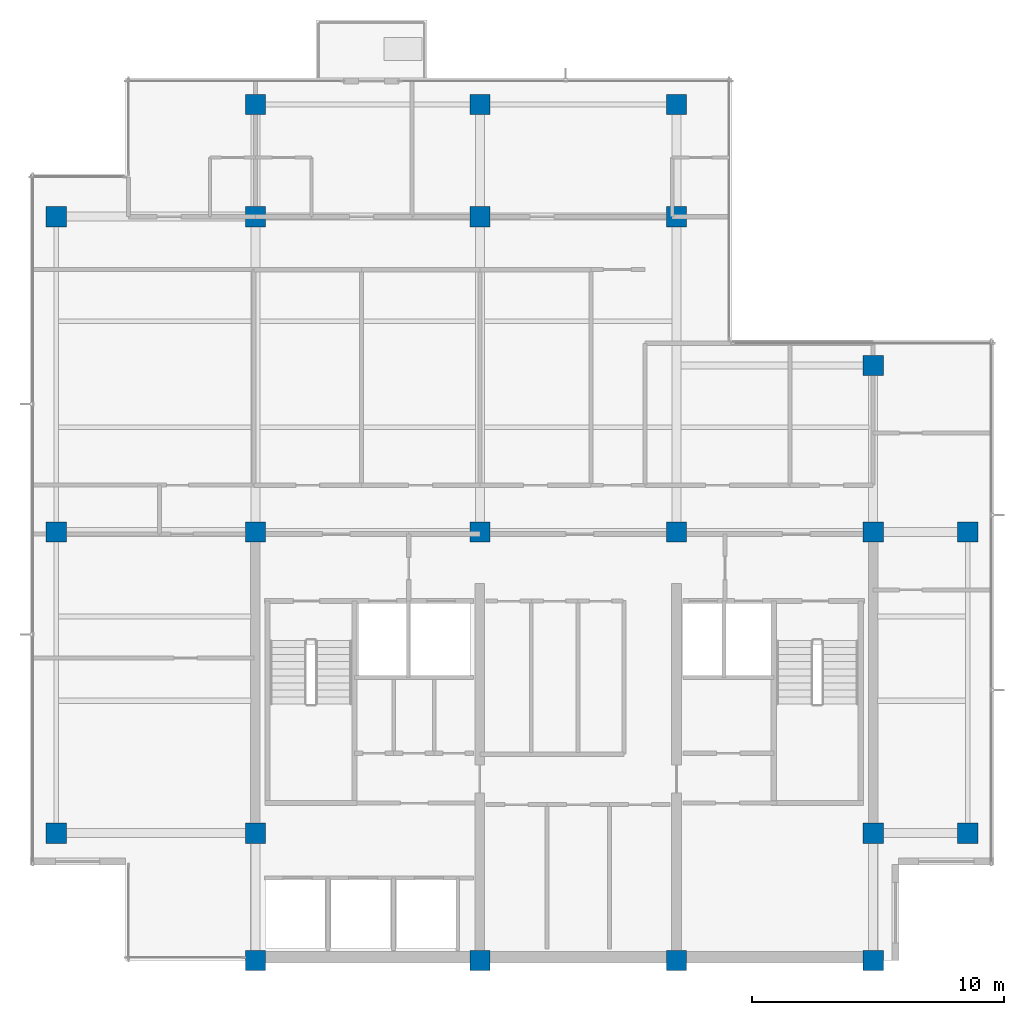
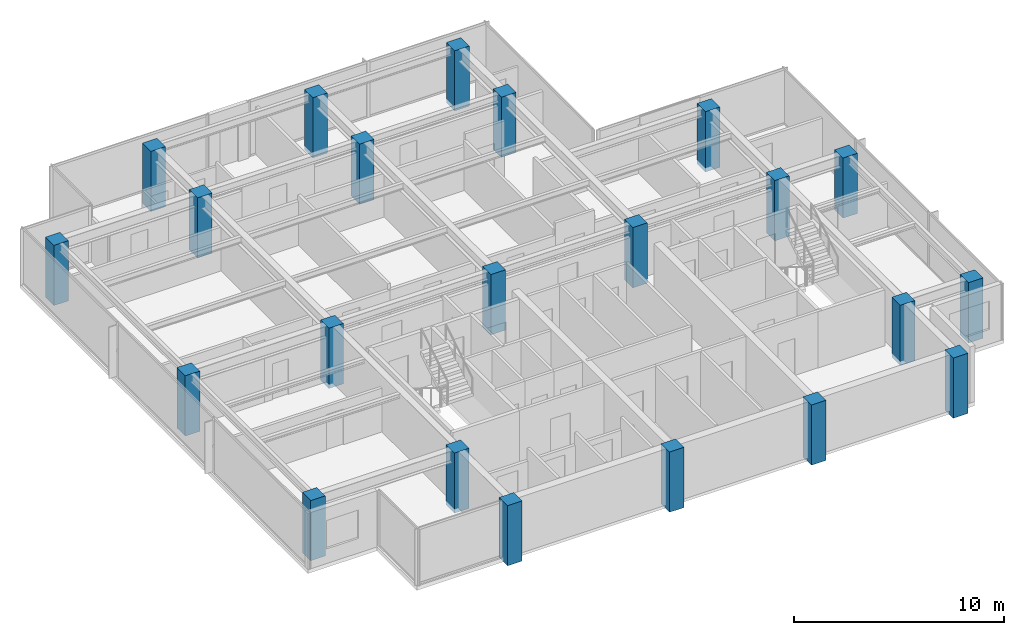
# One storey, part 1 of 11: 22 columns.
"""IFC4 building model written with IfcOpenShell, lengths in metres."""

from ifc_helpers import new_model, si_unit, direction, frame, origin, origin_2d, place, context, subcontext, project, spatial, rectangle, extrude, material, material_profile, profile_set, type_object, element, save


model = new_model("IFC4")

# Units and contexts
model_context = context("Model", 3, precision=1e-05, world=origin(), true_north=direction((0.0, 1.0)))
body_context = subcontext(model_context, "Body", "Model", "MODEL_VIEW")
ifc_project = project(units=[si_unit("LENGTHUNIT", "METRE"), si_unit("AREAUNIT", "SQUARE_METRE"), si_unit("VOLUMEUNIT", "CUBIC_METRE"), si_unit("PLANEANGLEUNIT", "RADIAN"), si_unit("MASSUNIT", "GRAM", prefix="KILO")], contexts=[model_context])

# Site, building, storey
site_placement = place(None, origin())
site = spatial("IfcSite", under=ifc_project, at=site_placement, CompositionType="ELEMENT")
building_placement = place(site_placement, origin())
building = spatial("IfcBuilding", under=site, at=building_placement, Name="Qalmaran Belvedere Hotel", CompositionType="ELEMENT")
storey_placement = place(building_placement, frame((0.0, 0.0, 256.39990234375)))
storey = spatial("IfcBuildingStorey", under=building, at=storey_placement, Name="L66", CompositionType="ELEMENT", Elevation=256.39990234375)

# Columns
ifc_material = material(Name="Concrete C50/60", Category="concrete")
ifc_material_profile = material_profile(ifc_material, rectangle(XDim=0.800048828125, YDim=0.800048828125, at=origin_2d()), Name="CC800X800")
ifc_profile_set = profile_set([ifc_material_profile], Name="Concrete C50/60")
column_type = type_object("IfcColumnType", Name="COL-Z5-CC800", PredefinedType="COLUMN", material=ifc_profile_set)
for number, where, z_axis, x_axis, name in (
    (1, (20.300048828125, 3.5, -0.239990234375), (0.0, 0.0, 1.0), (1.0, 0.0, 0.0), "L66 Column C4B"),
    (2, (29.199951171875, 3.5, -0.239990234375), (0.0, 0.0, 1.0), (1.0, 0.0, 0.0), "L66 Column C5B"),
    (3, (37.0, 3.5, -0.239990234375), (0.0, 0.0, 1.0), (1.0, 0.0, 0.0), "L66 Column C6B"),
    (4, (44.800048828125, 3.5, -0.239990234375), (0.0, 0.0, 1.0), (1.0, 0.0, 0.0), "L66 Column C7B"),
    (5, (20.300048828125, 8.550048828125, -0.239990234375), (0.0, 0.0, 1.0), (1.0, 0.0, 0.0), "L66 Column C4C"),
    (6, (44.800048828125, 8.550048828125, -0.239990234375), (0.0, 0.0, 1.0), (1.0, 0.0, 0.0), "L66 Column C7C"),
    (7, (20.300048828125, 20.5, -0.239990234375), (0.0, 0.0, 1.0), (1.0, 0.0, 0.0), "L66 Column C4D"),
    (8, (29.199951171875, 20.5, -0.239990234375), (0.0, 0.0, 1.0), (1.0, 0.0, 0.0), "L66 Column C5D"),
    (9, (37.0, 20.5, -0.239990234375), (0.0, 0.0, 1.0), (1.0, 0.0, 0.0), "L66 Column C6D"),
    (10, (44.800048828125, 20.5, -0.239990234375), (0.0, 0.0, 1.0), (1.0, 0.0, 0.0), "L66 Column C7D"),
    (11, (20.300048828125, 33.0, -0.239990234375), (0.0, 0.0, 1.0), (1.0, 0.0, 0.0), "L66 Column C4F"),
    (12, (29.199951171875, 33.0, -0.239990234375), (0.0, 0.0, 1.0), (1.0, 0.0, 0.0), "L66 Column C5F"),
    (13, (37.0, 33.0, -0.239990234375), (0.0, 0.0, 1.0), (1.0, 0.0, 0.0), "L66 Column C6F"),
    (14, (44.800048828125, 27.10009765625, -0.239990234375), (0.0, 0.0, 1.0), (1.0, 0.0, 0.0), "L66 Column C7E"),
    (15, (12.39990234375, 8.550048828125, -0.239990234375), (0.0, 0.0, 1.0), (1.0, 0.0, 0.0), "L66 Column CW1"),
    (16, (12.39990234375, 20.5, -0.239990234375), (0.0, 0.0, 1.0), (1.0, 0.0, 0.0), "L66 Column CW3"),
    (17, (12.39990234375, 33.0, -0.239990234375), (0.0, 0.0, 1.0), (1.0, 0.0, 0.0), "L66 Column CW4"),
    (18, (48.550048828125, 8.550048828125, -0.239990234375), (0.0, 0.0, 1.0), (1.0, 0.0, 0.0), "L66 Column CE1"),
    (19, (48.550048828125, 20.5, -0.239990234375), (0.0, 0.0, 1.0), (1.0, 0.0, 0.0), "L66 Column CE3"),
    (20, (20.300048828125, 37.449951171875, -0.239990234375), (0.0, 0.0, 1.0), (1.0, 0.0, 0.0), "L66 Column CN1"),
    (21, (29.199951171875, 37.449951171875, -0.239990234375), (0.0, 0.0, 1.0), (1.0, 0.0, 0.0), "L66 Column CN2"),
    (22, (37.0, 37.449951171875, -0.239990234375), (0.0, 0.0, 1.0), (1.0, 0.0, 0.0), "L66 Column CN3"),
):
    element("IfcColumn", number, at=place(storey_placement, frame(where, z_axis=z_axis, x_axis=x_axis)), inside=storey, type_object=column_type, Name=name, PredefinedType="COLUMN", context=body_context, shape_type="SweptSolid", body=[
        extrude(rectangle(XDim=0.800048828125, YDim=0.800048828125, at=origin_2d()), origin(), (0.0, 0.0, 1.0), 3.5),
    ])

save(model, "model.ifc")
